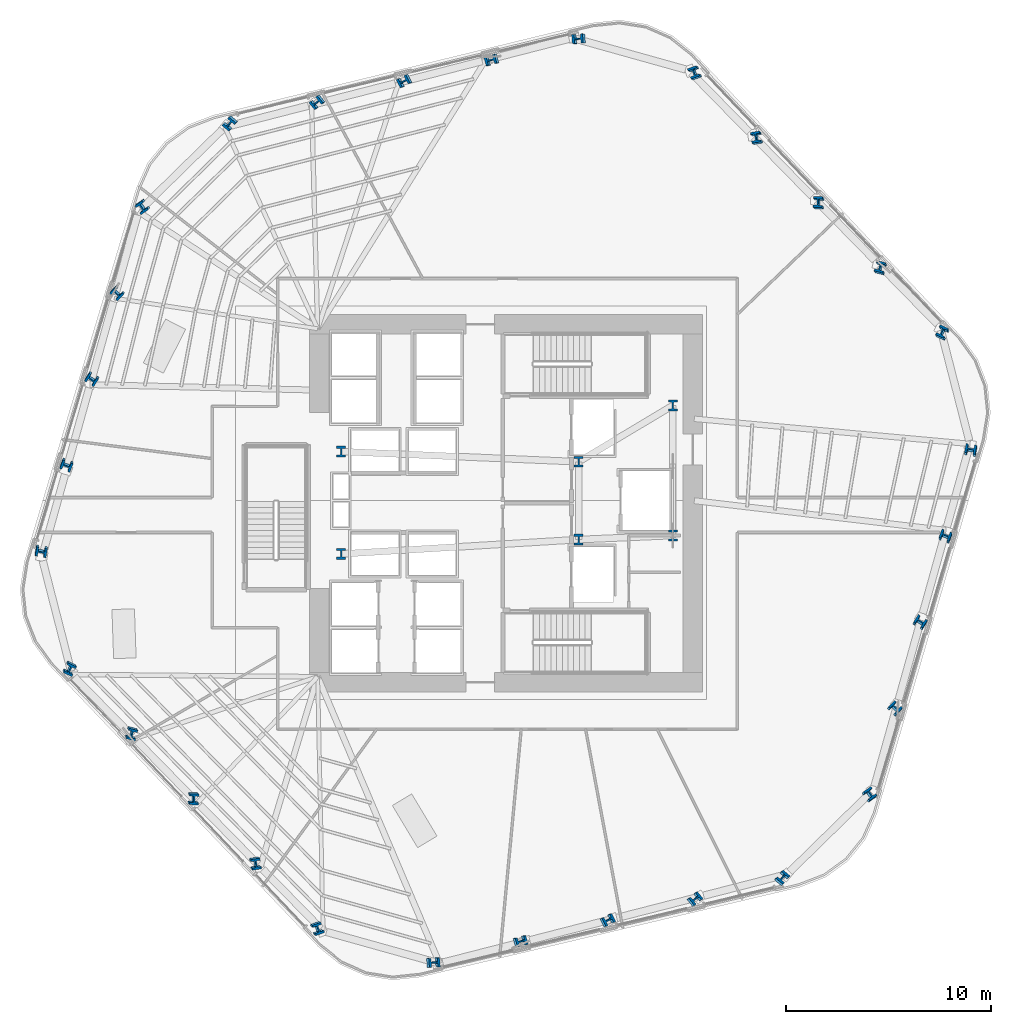
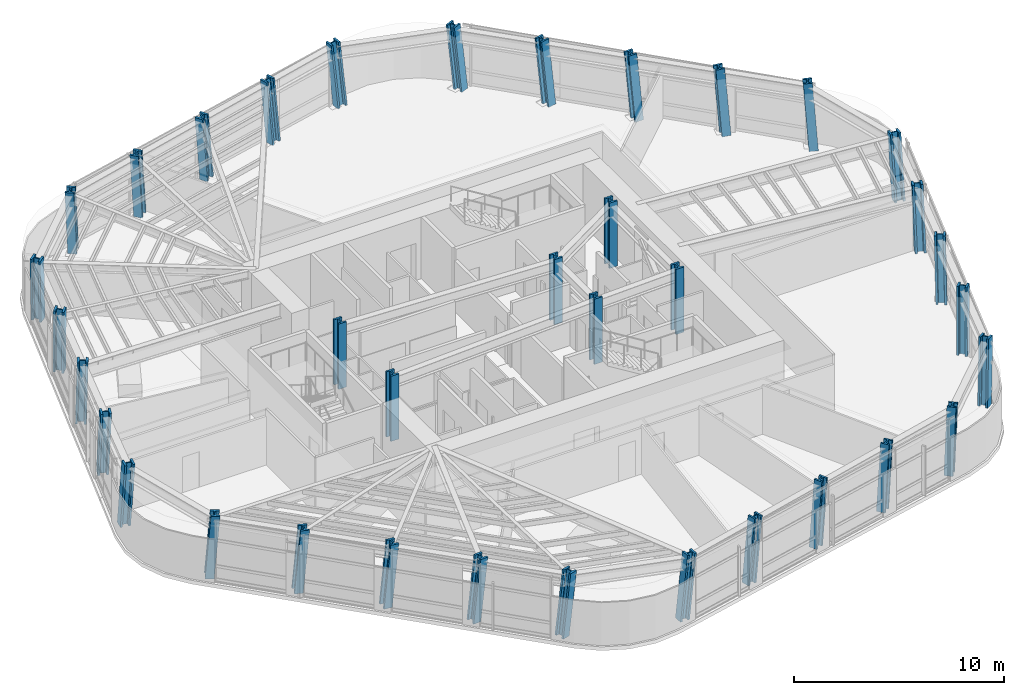
# One storey, part 1 of 17: 36 columns.
"""IFC4 building model written with IfcOpenShell, lengths in metres."""

from ifc_helpers import new_model, si_unit, direction, frame, origin, origin_2d, place, context, subcontext, project, spatial, i_section, extrude, material, material_profile, profile_set, type_object, element, save


model = new_model("IFC4")

# Units and contexts
model_context = context("Model", 3, precision=1e-05, world=origin(), true_north=direction((0.0, 1.0)))
body_context = subcontext(model_context, "Body", "Model", "MODEL_VIEW")
ifc_project = project(units=[si_unit("LENGTHUNIT", "METRE"), si_unit("AREAUNIT", "SQUARE_METRE"), si_unit("VOLUMEUNIT", "CUBIC_METRE"), si_unit("PLANEANGLEUNIT", "RADIAN"), si_unit("MASSUNIT", "GRAM", prefix="KILO")], contexts=[model_context])

# Site, building, storey
site_placement = place(None, origin())
site = spatial("IfcSite", under=ifc_project, at=site_placement, CompositionType="ELEMENT")
building_placement = place(site_placement, origin())
building = spatial("IfcBuilding", under=site, at=building_placement, Name="Valkerne Bourse Tower", CompositionType="ELEMENT")
storey_placement = place(building_placement, frame((0.0, 0.0, 82.0)))
storey = spatial("IfcBuildingStorey", under=building, at=storey_placement, Name="L20", CompositionType="ELEMENT", Elevation=82.0)

# Columns
ifc_material = material(Name="Steel ASTM A913 Grade 65", Category="steel")
ifc_material_profile = material_profile(ifc_material, i_section(OverallWidth=0.44189453125, OverallDepth=0.531005859375, WebThickness=0.06591796875, FlangeThickness=0.105712890625, FilletRadius=0.030517578125, at=origin_2d()), Name="W14X605")
ifc_profile_set = profile_set([ifc_material_profile], Name="Steel ASTM A913 Grade 65")
column_type = type_object("IfcColumnType", Name="COL-W14X605", PredefinedType="COLUMN", material=ifc_profile_set)
for number, where, z_axis, x_axis, name in (
    (1, (38.75, 24.39990234375, 0.0048828125), (0.0, 0.0, 1.0), (1.0, 0.0, 0.0), "L20 Core Frame Column CC-SW"),
    (2, (38.75, 29.39990234375, 0.0048828125), (0.0, 0.0, 1.0), (1.0, 0.0, 0.0), "L20 Core Frame Column CC-NW"),
    (3, (50.35009765625, 25.10009765625, 0.0048828125), (0.0, 0.0, 1.0), (1.0, 0.0, 0.0), "L20 Core Frame Column CC-CE1"),
    (4, (50.35009765625, 28.89990234375, 0.0048828125), (0.0, 0.0, 1.0), (1.0, 0.0, 0.0), "L20 Core Frame Column CC-CE2"),
    (5, (54.949951171875, 25.300048828125, 0.0048828125), (0.0, 0.0, 1.0), (1.0, 0.0, 0.0), "L20 Core Frame Column CC-SE"),
    (6, (54.949951171875, 31.64990234375, 0.0048828125), (0.0, 0.0, 1.0), (1.0, 0.0, 0.0), "L20 Core Frame Column CC-NE"),
):
    element("IfcColumn", number, at=place(storey_placement, frame(where, z_axis=z_axis, x_axis=x_axis)), inside=storey, type_object=column_type, Name=name, PredefinedType="COLUMN", context=body_context, shape_type="SweptSolid", body=[
        extrude(i_section(OverallWidth=0.44189453125, OverallDepth=0.531005859375, WebThickness=0.06591796875, FlangeThickness=0.105712890625, FilletRadius=0.030517578125, at=origin_2d()), origin(), (0.0, 0.0, 1.0), 3.795166015625),
    ])
column_1_placement = place(storey_placement, frame((68.130615234375, 35.1572265625, 0.010009765625), z_axis=(-0.034454965751, 0.087937300648, 0.995529952583), x_axis=(0.904355449465, -0.421245466364, 0.068508963576)))
element("IfcColumn", 7, at=column_1_placement, inside=storey, type_object=column_type, Name="L20 Helical Perimeter Tube Column F1-C1", PredefinedType="COLUMN", context=body_context, shape_type="SweptSolid", body=[
    extrude(i_section(OverallWidth=0.44189453125, OverallDepth=0.531005859375, WebThickness=0.06591796875, FlangeThickness=0.105712890625, FilletRadius=0.030517578125, at=origin_2d()), origin(), (0.0, 0.0, 1.0), 3.798095703125),
])
column_2_placement = place(storey_placement, frame((65.113525390625, 38.33642578125, 0.010009765625), z_axis=(-0.047527386635, 0.075439275402, 0.996017099877), x_axis=(0.967524318231, -0.244363850608, 0.064676132752)))
element("IfcColumn", 8, at=column_2_placement, inside=storey, type_object=column_type, Name="L20 Helical Perimeter Tube Column F1-C2", PredefinedType="COLUMN", context=body_context, shape_type="SweptSolid", body=[
    extrude(i_section(OverallWidth=0.44189453125, OverallDepth=0.531005859375, WebThickness=0.06591796875, FlangeThickness=0.105712890625, FilletRadius=0.030517578125, at=origin_2d()), origin(), (0.0, 0.0, 1.0), 3.796142578125),
])
column_3_placement = place(storey_placement, frame((62.096435546875, 41.515869140625, 0.010009765625), z_axis=(-0.060528904966, 0.062844569769, 0.996186133067), x_axis=(0.997070898027, -0.042939590348, 0.06329151513)))
element("IfcColumn", 9, at=column_3_placement, inside=storey, type_object=column_type, Name="L20 Helical Perimeter Tube Column F1-C3", PredefinedType="COLUMN", context=body_context, shape_type="SweptSolid", body=[
    extrude(i_section(OverallWidth=0.44189453125, OverallDepth=0.531005859375, WebThickness=0.06591796875, FlangeThickness=0.105712890625, FilletRadius=0.030517578125, at=origin_2d()), origin(), (0.0, 0.0, 1.0), 3.79541015625),
])
column_4_placement = place(storey_placement, frame((59.079345703125, 44.695068359375, 0.010009765625), z_axis=(-0.073574705468, 0.050228885464, 0.996024006629), x_axis=(0.984813006023, 0.161144594448, 0.064620142741)))
element("IfcColumn", 10, at=column_4_placement, inside=storey, type_object=column_type, Name="L20 Helical Perimeter Tube Column F1-C4", PredefinedType="COLUMN", context=body_context, shape_type="SweptSolid", body=[
    extrude(i_section(OverallWidth=0.44189453125, OverallDepth=0.531005859375, WebThickness=0.06591796875, FlangeThickness=0.105712890625, FilletRadius=0.030517578125, at=origin_2d()), origin(), (0.0, 0.0, 1.0), 3.796142578125),
])
column_5_placement = place(storey_placement, frame((56.0625, 47.87451171875, 0.010009765625), z_axis=(-0.08665155857, 0.037604719409, 0.995528699976), x_axis=(0.936476545354, 0.343972222194, 0.06851854027)))
element("IfcColumn", 11, at=column_5_placement, inside=storey, type_object=column_type, Name="L20 Helical Perimeter Tube Column F1-C5", PredefinedType="COLUMN", context=body_context, shape_type="SweptSolid", body=[
    extrude(i_section(OverallWidth=0.44189453125, OverallDepth=0.531005859375, WebThickness=0.06591796875, FlangeThickness=0.105712890625, FilletRadius=0.030517578125, at=origin_2d()), origin(), (0.0, 0.0, 1.0), 3.798095703125),
])
column_6_placement = place(storey_placement, frame((50.40087890625, 49.551513671875, 0.010009765625), z_axis=(-0.093337348228, 0.014142022459, 0.995534099178), x_axis=(-0.084114026503, 0.996212408771, -0.022037857326)))
element("IfcColumn", 12, at=column_6_placement, inside=storey, type_object=column_type, Name="L20 Helical Perimeter Tube Column F2-C1", PredefinedType="COLUMN", context=body_context, shape_type="SweptSolid", body=[
    extrude(i_section(OverallWidth=0.44189453125, OverallDepth=0.531005859375, WebThickness=0.06591796875, FlangeThickness=0.105712890625, FilletRadius=0.030517578125, at=origin_2d()), origin(), (0.0, 0.0, 1.0), 3.7978515625),
])
column_7_placement = place(storey_placement, frame((46.13916015625, 48.5283203125, 0.010009765625), z_axis=(-0.089073821697, -0.003472914348, 0.996018972286), x_axis=(-0.270222595041, 0.962572961794, -0.020809669671)))
element("IfcColumn", 13, at=column_7_placement, inside=storey, type_object=column_type, Name="L20 Helical Perimeter Tube Column F2-C2", PredefinedType="COLUMN", context=body_context, shape_type="SweptSolid", body=[
    extrude(i_section(OverallWidth=0.44189453125, OverallDepth=0.531005859375, WebThickness=0.06591796875, FlangeThickness=0.105712890625, FilletRadius=0.030517578125, at=origin_2d()), origin(), (0.0, 0.0, 1.0), 3.796142578125),
])
column_8_placement = place(storey_placement, frame((41.877197265625, 47.505126953125, 0.010009765625), z_axis=(-0.084714490583, -0.021033894017, 0.996183231332), x_axis=(-0.460017911922, 0.88767579201, -0.020376677602)))
element("IfcColumn", 14, at=column_8_placement, inside=storey, type_object=column_type, Name="L20 Helical Perimeter Tube Column F2-C3", PredefinedType="COLUMN", context=body_context, shape_type="SweptSolid", body=[
    extrude(i_section(OverallWidth=0.44189453125, OverallDepth=0.531005859375, WebThickness=0.06591796875, FlangeThickness=0.105712890625, FilletRadius=0.030517578125, at=origin_2d()), origin(), (0.0, 0.0, 1.0), 3.79541015625),
])
column_9_placement = place(storey_placement, frame((37.615234375, 46.48193359375, 0.010009765625), z_axis=(-0.080327212465, -0.03865224555, 0.996018846635), x_axis=(-0.631139886088, 0.775389829826, -0.020809997417)))
element("IfcColumn", 15, at=column_9_placement, inside=storey, type_object=column_type, Name="L20 Helical Perimeter Tube Column F2-C4", PredefinedType="COLUMN", context=body_context, shape_type="SweptSolid", body=[
    extrude(i_section(OverallWidth=0.44189453125, OverallDepth=0.531005859375, WebThickness=0.06591796875, FlangeThickness=0.105712890625, FilletRadius=0.030517578125, at=origin_2d()), origin(), (0.0, 0.0, 1.0), 3.796142578125),
])
for number, where, z_axis, x_axis, name in (
    (16, (33.353515625, 45.458740234375, 0.010009765625), (-0.075916370318, -0.056246252352, 0.995526525922), (-0.765593999695, 0.642945828767, -0.022056493412), "L20 Helical Perimeter Tube Column F2-C5"),
    (17, (29.0703125, 41.394287109375, 0.010009765625), (-0.058946266471, -0.073795325963, 0.995529802434), (-0.817648347353, -0.568551079627, -0.090558544194), "L20 Helical Perimeter Tube Column F3-C1"),
):
    element("IfcColumn", number, at=place(storey_placement, frame(where, z_axis=z_axis, x_axis=x_axis)), inside=storey, type_object=column_type, Name=name, PredefinedType="COLUMN", context=body_context, shape_type="SweptSolid", body=[
        extrude(i_section(OverallWidth=0.44189453125, OverallDepth=0.531005859375, WebThickness=0.06591796875, FlangeThickness=0.105712890625, FilletRadius=0.030517578125, at=origin_2d()), origin(), (0.0, 0.0, 1.0), 3.798095703125),
    ])
column_10_placement = place(storey_placement, frame((27.825439453125, 37.191650390625, 0.010009765625), z_axis=(-0.041546410071, -0.078848140476, 0.996020515127), x_axis=(-0.696455442283, -0.712493799322, -0.085454097868)))
element("IfcColumn", 18, at=column_10_placement, inside=storey, type_object=column_type, Name="L20 Helical Perimeter Tube Column F3-C2", PredefinedType="COLUMN", context=body_context, shape_type="SweptSolid", body=[
    extrude(i_section(OverallWidth=0.44189453125, OverallDepth=0.531005859375, WebThickness=0.06591796875, FlangeThickness=0.105712890625, FilletRadius=0.030517578125, at=origin_2d()), origin(), (0.0, 0.0, 1.0), 3.796142578125),
])
column_11_placement = place(storey_placement, frame((26.580810546875, 32.9892578125, 0.010009765625), z_axis=(-0.024185743215, -0.083878215831, 0.996182460563), x_axis=(-0.537529855659, -0.839080362601, -0.083700653358)))
element("IfcColumn", 19, at=column_11_placement, inside=storey, type_object=column_type, Name="L20 Helical Perimeter Tube Column F3-C3", PredefinedType="COLUMN", context=body_context, shape_type="SweptSolid", body=[
    extrude(i_section(OverallWidth=0.44189453125, OverallDepth=0.531005859375, WebThickness=0.06591796875, FlangeThickness=0.105712890625, FilletRadius=0.030517578125, at=origin_2d()), origin(), (0.0, 0.0, 1.0), 3.79541015625),
])
column_12_placement = place(storey_placement, frame((25.335693359375, 28.78662109375, 0.010009765625), z_axis=(-0.006688619548, -0.088817149955, 0.996025489755), x_axis=(-0.354929887628, -0.930984147208, -0.085400775851)))
element("IfcColumn", 20, at=column_12_placement, inside=storey, type_object=column_type, Name="L20 Helical Perimeter Tube Column F3-C4", PredefinedType="COLUMN", context=body_context, shape_type="SweptSolid", body=[
    extrude(i_section(OverallWidth=0.44189453125, OverallDepth=0.531005859375, WebThickness=0.06591796875, FlangeThickness=0.105712890625, FilletRadius=0.030517578125, at=origin_2d()), origin(), (0.0, 0.0, 1.0), 3.796142578125),
])
for number, where, z_axis, x_axis, name in (
    (21, (24.091064453125, 24.584228515625, 0.010009765625), (0.010670744706, -0.093851128138, 0.995529055806), (-0.174362852672, -0.980507714919, -0.090566089639), "L20 Helical Perimeter Tube Column F3-C5"),
    (22, (25.469482421875, 18.8427734375, 0.010009765625), (0.034390760197, -0.087937495232, 0.995532155455), (0.904088836545, -0.421820110173, -0.068492118439), "L20 Helical Perimeter Tube Column F4-C1"),
):
    element("IfcColumn", number, at=place(storey_placement, frame(where, z_axis=z_axis, x_axis=x_axis)), inside=storey, type_object=column_type, Name=name, PredefinedType="COLUMN", context=body_context, shape_type="SweptSolid", body=[
        extrude(i_section(OverallWidth=0.44189453125, OverallDepth=0.531005859375, WebThickness=0.06591796875, FlangeThickness=0.105712890625, FilletRadius=0.030517578125, at=origin_2d()), origin(), (0.0, 0.0, 1.0), 3.798095703125),
    ])
column_13_placement = place(storey_placement, frame((28.486572265625, 15.66357421875, 0.010009765625), z_axis=(0.047463218507, -0.075439505838, 0.99602014229), x_axis=(0.967376123998, -0.244956366452, -0.06465147526)))
element("IfcColumn", 23, at=column_13_placement, inside=storey, type_object=column_type, Name="L20 Helical Perimeter Tube Column F4-C2", PredefinedType="COLUMN", context=body_context, shape_type="SweptSolid", body=[
    extrude(i_section(OverallWidth=0.44189453125, OverallDepth=0.531005859375, WebThickness=0.06591796875, FlangeThickness=0.105712890625, FilletRadius=0.030517578125, at=origin_2d()), origin(), (0.0, 0.0, 1.0), 3.796142578125),
])
column_14_placement = place(storey_placement, frame((31.50341796875, 12.484130859375, 0.010009765625), z_axis=(0.060592992947, -0.062844324957, 0.996182252415), x_axis=(0.997091592, -0.042408408475, -0.063323645299)))
element("IfcColumn", 24, at=column_14_placement, inside=storey, type_object=column_type, Name="L20 Helical Perimeter Tube Column F4-C3", PredefinedType="COLUMN", context=body_context, shape_type="SweptSolid", body=[
    extrude(i_section(OverallWidth=0.44189453125, OverallDepth=0.531005859375, WebThickness=0.06591796875, FlangeThickness=0.105712890625, FilletRadius=0.030517578125, at=origin_2d()), origin(), (0.0, 0.0, 1.0), 3.79541015625),
])
column_15_placement = place(storey_placement, frame((34.5205078125, 9.304931640625, 0.010009765625), z_axis=(0.073638670423, -0.050228647686, 0.996019291565), x_axis=(0.984744544705, 0.161547134718, -0.064658370987)))
element("IfcColumn", 25, at=column_15_placement, inside=storey, type_object=column_type, Name="L20 Helical Perimeter Tube Column F4-C4", PredefinedType="COLUMN", context=body_context, shape_type="SweptSolid", body=[
    extrude(i_section(OverallWidth=0.44189453125, OverallDepth=0.531005859375, WebThickness=0.06591796875, FlangeThickness=0.105712890625, FilletRadius=0.030517578125, at=origin_2d()), origin(), (0.0, 0.0, 1.0), 3.796142578125),
])
for number, where, z_axis, x_axis, name in (
    (26, (37.53759765625, 6.12548828125, 0.010009765625), (0.08665155857, -0.037604719409, 0.995528699976), (0.936476545354, 0.343972222194, -0.06851854027), "L20 Helical Perimeter Tube Column F4-C5"),
    (27, (43.198974609375, 4.448486328125, 0.010009765625), (0.09340106956, -0.01414193758, 0.995528124066), (-0.084214199697, 0.996203620289, 0.02205256206), "L20 Helical Perimeter Tube Column F5-C1"),
):
    element("IfcColumn", number, at=place(storey_placement, frame(where, z_axis=z_axis, x_axis=x_axis)), inside=storey, type_object=column_type, Name=name, PredefinedType="COLUMN", context=body_context, shape_type="SweptSolid", body=[
        extrude(i_section(OverallWidth=0.44189453125, OverallDepth=0.531005859375, WebThickness=0.06591796875, FlangeThickness=0.105712890625, FilletRadius=0.030517578125, at=origin_2d()), origin(), (0.0, 0.0, 1.0), 3.798095703125),
    ])
column_16_placement = place(storey_placement, frame((47.4609375, 5.4716796875, 0.010009765625), z_axis=(0.089073821697, 0.003472914348, 0.996018972286), x_axis=(-0.270222595041, 0.962572961794, 0.020809669671)))
element("IfcColumn", 28, at=column_16_placement, inside=storey, type_object=column_type, Name="L20 Helical Perimeter Tube Column F5-C2", PredefinedType="COLUMN", context=body_context, shape_type="SweptSolid", body=[
    extrude(i_section(OverallWidth=0.44189453125, OverallDepth=0.531005859375, WebThickness=0.06591796875, FlangeThickness=0.105712890625, FilletRadius=0.030517578125, at=origin_2d()), origin(), (0.0, 0.0, 1.0), 3.796142578125),
])
column_17_placement = place(storey_placement, frame((51.722900390625, 6.494873046875, 0.010009765625), z_axis=(0.084650627849, 0.021034008592, 0.996188657678), x_axis=(-0.460176880795, 0.887593723824, 0.020362215241)))
element("IfcColumn", 29, at=column_17_placement, inside=storey, type_object=column_type, Name="L20 Helical Perimeter Tube Column F5-C3", PredefinedType="COLUMN", context=body_context, shape_type="SweptSolid", body=[
    extrude(i_section(OverallWidth=0.44189453125, OverallDepth=0.531005859375, WebThickness=0.06591796875, FlangeThickness=0.105712890625, FilletRadius=0.030517578125, at=origin_2d()), origin(), (0.0, 0.0, 1.0), 3.79541015625),
])
column_18_placement = place(storey_placement, frame((55.984619140625, 7.51806640625, 0.010009765625), z_axis=(0.080327212465, 0.03865224555, 0.996018846635), x_axis=(-0.631139886088, 0.775389829826, 0.020809997417)))
element("IfcColumn", 30, at=column_18_placement, inside=storey, type_object=column_type, Name="L20 Helical Perimeter Tube Column F5-C4", PredefinedType="COLUMN", context=body_context, shape_type="SweptSolid", body=[
    extrude(i_section(OverallWidth=0.44189453125, OverallDepth=0.531005859375, WebThickness=0.06591796875, FlangeThickness=0.105712890625, FilletRadius=0.030517578125, at=origin_2d()), origin(), (0.0, 0.0, 1.0), 3.796142578125),
])
for number, where, z_axis, x_axis, name in (
    (31, (60.24658203125, 8.541259765625, 0.010009765625), (0.075916370318, 0.056246252352, 0.995526525922), (-0.765593999695, 0.642945828767, 0.022056493412), "L20 Helical Perimeter Tube Column F5-C5"),
    (32, (64.529541015625, 12.605712890625, 0.010009765625), (0.059010324392, 0.07379504619, 0.995526028175), (-0.817948186675, -0.568113549744, 0.090596680472), "L20 Helical Perimeter Tube Column F6-C1"),
):
    element("IfcColumn", number, at=place(storey_placement, frame(where, z_axis=z_axis, x_axis=x_axis)), inside=storey, type_object=column_type, Name=name, PredefinedType="COLUMN", context=body_context, shape_type="SweptSolid", body=[
        extrude(i_section(OverallWidth=0.44189453125, OverallDepth=0.531005859375, WebThickness=0.06591796875, FlangeThickness=0.105712890625, FilletRadius=0.030517578125, at=origin_2d()), origin(), (0.0, 0.0, 1.0), 3.798095703125),
    ])
column_19_placement = place(storey_placement, frame((65.7744140625, 16.808349609375, 0.010009765625), z_axis=(0.041546410071, 0.078848140476, 0.996020515127), x_axis=(-0.696455442283, -0.712493799322, 0.085454097868)))
element("IfcColumn", 33, at=column_19_placement, inside=storey, type_object=column_type, Name="L20 Helical Perimeter Tube Column F6-C2", PredefinedType="COLUMN", context=body_context, shape_type="SweptSolid", body=[
    extrude(i_section(OverallWidth=0.44189453125, OverallDepth=0.531005859375, WebThickness=0.06591796875, FlangeThickness=0.105712890625, FilletRadius=0.030517578125, at=origin_2d()), origin(), (0.0, 0.0, 1.0), 3.796142578125),
])
column_20_placement = place(storey_placement, frame((67.019287109375, 21.0107421875, 0.010009765625), z_axis=(0.024121456906, 0.083878346149, 0.996184008286), x_axis=(-0.536935935833, -0.839462230436, 0.083683716951)))
element("IfcColumn", 34, at=column_20_placement, inside=storey, type_object=column_type, Name="L20 Helical Perimeter Tube Column F6-C3", PredefinedType="COLUMN", context=body_context, shape_type="SweptSolid", body=[
    extrude(i_section(OverallWidth=0.44189453125, OverallDepth=0.531005859375, WebThickness=0.06591796875, FlangeThickness=0.105712890625, FilletRadius=0.030517578125, at=origin_2d()), origin(), (0.0, 0.0, 1.0), 3.79541015625),
])
column_21_placement = place(storey_placement, frame((68.26416015625, 25.21337890625, 0.010009765625), z_axis=(0.006688619548, 0.088817149955, 0.996025489755), x_axis=(-0.354929887628, -0.930984147208, 0.085400775851)))
element("IfcColumn", 35, at=column_21_placement, inside=storey, type_object=column_type, Name="L20 Helical Perimeter Tube Column F6-C4", PredefinedType="COLUMN", context=body_context, shape_type="SweptSolid", body=[
    extrude(i_section(OverallWidth=0.44189453125, OverallDepth=0.531005859375, WebThickness=0.06591796875, FlangeThickness=0.105712890625, FilletRadius=0.030517578125, at=origin_2d()), origin(), (0.0, 0.0, 1.0), 3.796142578125),
])
column_22_placement = place(storey_placement, frame((69.509033203125, 29.415771484375, 0.010009765625), z_axis=(-0.010735018915, 0.093851063569, 0.995528370884), x_axis=(-0.173699928918, -0.980624731682, 0.090573010921)))
element("IfcColumn", 36, at=column_22_placement, inside=storey, type_object=column_type, Name="L20 Helical Perimeter Tube Column F6-C5", PredefinedType="COLUMN", context=body_context, shape_type="SweptSolid", body=[
    extrude(i_section(OverallWidth=0.44189453125, OverallDepth=0.531005859375, WebThickness=0.06591796875, FlangeThickness=0.105712890625, FilletRadius=0.030517578125, at=origin_2d()), origin(), (0.0, 0.0, 1.0), 3.798095703125),
])

save(model, "model.ifc")
